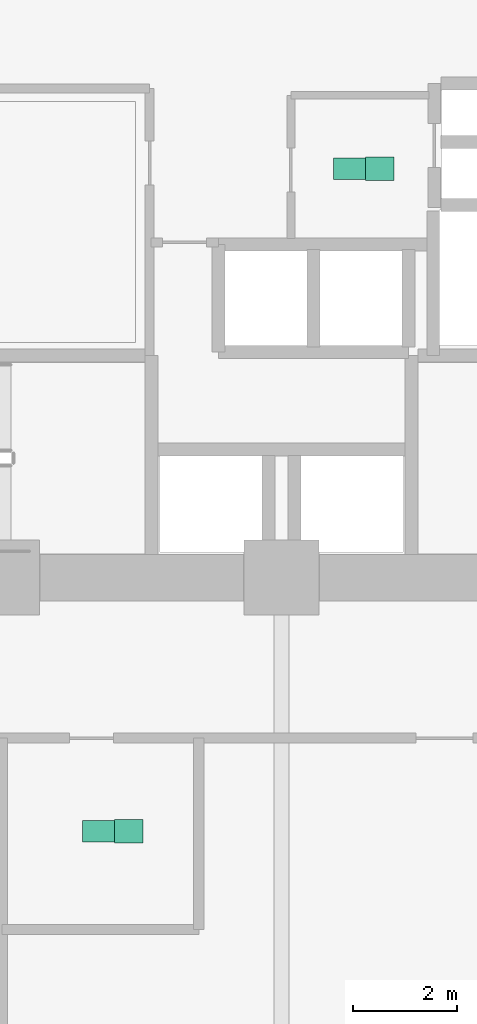
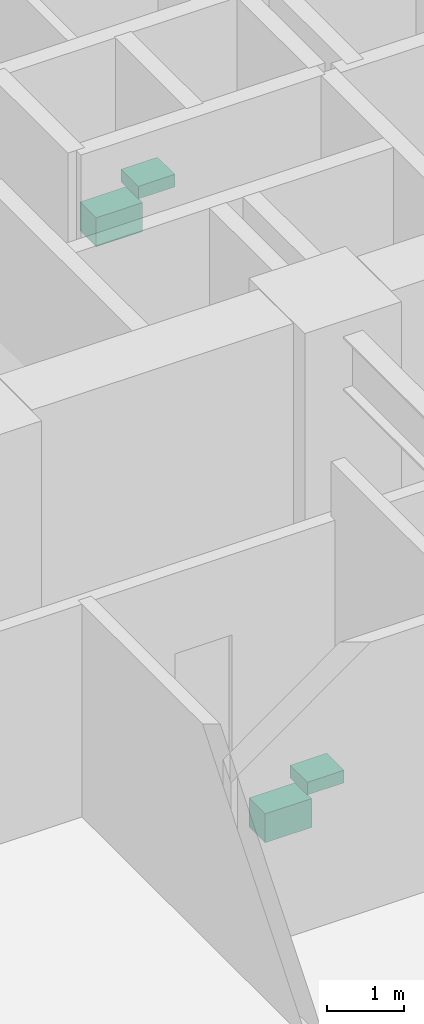
# One storey, part 31 of 31: 4 sanitary terminals.
"""IFC4 building model written with IfcOpenShell, lengths in metres."""

import ifcopenshell
import ifcopenshell.guid

model = None  # the IFC model being written
_history = None  # IfcOwnerHistory: only IFC2X3 demands one
_inside = {}  # id of a spatial element -> (the spatial element, [elements in it])
_under = {}  # id of a project, library or spatial element -> (it, [spatial elements below it])
_declared = {}  # id of a project -> (the project, [libraries it declares])
_typed = {}  # id of a type object -> (the type object, [elements of that type])
_made_of = {}  # id of a material, layer set ... -> (it, [elements and type objects made of it])


def new_model(schema):
    """Start an empty IFC model of exactly this schema.

    Asked for "IFC4X3", IfcOpenShell would pick the latest addendum, in which some entities
    have other attributes; the version numbers below select the first issue.
    IFC2X3 requires an IfcOwnerHistory on every rooted entity: one is made here for all.
    """
    global model, _history
    if schema == "IFC4X3":
        model = ifcopenshell.file(schema_version=(4, 3, 0, 0))
    else:
        model = ifcopenshell.file(schema=schema)
    _inside.clear()
    _under.clear()
    _declared.clear()
    _typed.clear()
    _made_of.clear()
    _history = None
    if model.schema == "IFC2X3":
        org = make("IfcOrganization", Name="unknown")
        user = make(
            "IfcPersonAndOrganization",
            ThePerson=make("IfcPerson", FamilyName="unknown"),
            TheOrganization=org,
        )
        app = make(
            "IfcApplication",
            ApplicationDeveloper=org,
            Version="unknown",
            ApplicationFullName="unknown",
            ApplicationIdentifier="unknown",
        )
        _history = make(
            "IfcOwnerHistory",
            OwningUser=user,
            OwningApplication=app,
            ChangeAction="ADDED",
            CreationDate=0,
        )
    return model


def make(cls, **values):
    """One entity of the class cls with the attributes given. An attribute that is None is left unset."""
    return model.create_entity(
        cls, **{name: value for name, value in values.items() if value is not None}
    )


def rooted(cls, **values):
    """An entity with a GlobalId (a new one), such as an element, a storey or a relation."""
    return make(cls, GlobalId=ifcopenshell.guid.new(), OwnerHistory=_history, **values)


def si_unit(unit_type, name, prefix=None):
    """IfcSIUnit, for example si_unit("LENGTHUNIT", "METRE", prefix="MILLI")."""
    return make("IfcSIUnit", UnitType=unit_type, Prefix=prefix, Name=name)


def assignment(units):
    """IfcUnitAssignment: the units of a project."""
    return None if units is None else make("IfcUnitAssignment", Units=units)


def point(xyz):
    """IfcCartesianPoint."""
    return None if xyz is None else make("IfcCartesianPoint", Coordinates=xyz)


def direction(xyz):
    """IfcDirection."""
    return None if xyz is None else make("IfcDirection", DirectionRatios=xyz)


def frame(location, z_axis=None, x_axis=None):
    """IfcAxis2Placement3D, a coordinate frame: its origin and axes. An axis left out is left unset."""
    return make(
        "IfcAxis2Placement3D",
        Location=point(location),
        Axis=direction(z_axis),
        RefDirection=direction(x_axis),
    )


def frame_2d(location, x_axis=None):
    """IfcAxis2Placement2D, a coordinate frame in the plane: its origin and x axis."""
    return make(
        "IfcAxis2Placement2D", Location=point(location), RefDirection=direction(x_axis)
    )


def origin():
    """The frame at (0, 0, 0) with its axes left unset."""
    return frame((0.0, 0.0, 0.0))


def origin_2d():
    """The frame at (0, 0) in the plane with its x axis left unset."""
    return frame_2d((0.0, 0.0))


def place(relative_to, where):
    """IfcLocalPlacement: puts the frame where relative to a parent placement (None: the world)."""
    return make(
        "IfcLocalPlacement", PlacementRelTo=relative_to, RelativePlacement=where
    )


def context(
    kind, dimensions, precision=None, world=None, true_north=None, identifier=None
):
    """IfcGeometricRepresentationContext, for example the 3D "Model" context."""
    return make(
        "IfcGeometricRepresentationContext",
        ContextIdentifier=identifier,
        ContextType=kind,
        CoordinateSpaceDimension=dimensions,
        Precision=precision,
        WorldCoordinateSystem=world,
        TrueNorth=true_north,
    )


def subcontext(parent, identifier, kind, view, scale=None):
    """IfcGeometricRepresentationSubContext, for example "Body" below "Model"."""
    return make(
        "IfcGeometricRepresentationSubContext",
        ContextIdentifier=identifier,
        ContextType=kind,
        ParentContext=parent,
        TargetScale=scale,
        TargetView=view,
    )


def project(units=None, contexts=None):
    """IfcProject with its units and contexts."""
    return rooted(
        "IfcProject",
        Name="project",
        RepresentationContexts=contexts,
        UnitsInContext=assignment(units),
    )


def spatial(cls, under=None, at=None, **own):
    """A site, building, storey or space (cls), placed at a placement, below another one or the project."""
    s = rooted(cls, ObjectPlacement=at, **own)
    if under is not None:
        _under.setdefault(under.id(), (under, []))[1].append(s)
    return s


def profile(cls, at=None, kind="AREA", **sizes):
    """A parametric profile (cls). Its sizes go by their IFC names, for example OverallWidth=200.0."""
    return make(cls, ProfileType=kind, Position=at, **sizes)


def rectangle(**sizes):
    """IfcRectangleProfileDef."""
    return profile("IfcRectangleProfileDef", **sizes)


def extrude(swept, where, along, depth):
    """IfcExtrudedAreaSolid: the profile swept, set in the frame where, extruded along a direction by depth."""
    return make(
        "IfcExtrudedAreaSolid",
        SweptArea=swept,
        Position=where,
        ExtrudedDirection=direction(along),
        Depth=depth,
    )


def shape(context_of_items, identifier, shape_type, items):
    """IfcShapeRepresentation: the items that make up one representation, for example the "Body"."""
    return make(
        "IfcShapeRepresentation",
        ContextOfItems=context_of_items,
        RepresentationIdentifier=identifier,
        RepresentationType=shape_type,
        Items=items,
    )


def material(Name=None, Category=None):
    """IfcMaterial."""
    return make("IfcMaterial", Name=Name, Category=Category)


def made_of(thing, what):
    """Note that an element or type object is made of a material, layer set ...; save() writes the relation."""
    if what is not None:
        _made_of.setdefault(what.id(), (what, []))[1].append(thing)
    return thing


def type_object(cls, material=None, **own):
    """A type object (cls), such as IfcWallType, which elements share."""
    return made_of(rooted(cls, **own), material)


def element(
    cls,
    number,
    at=None,
    inside=None,
    cuts=None,
    type_object=None,
    material=None,
    context=None,
    identifier="Body",
    shape_type=None,
    held_by="IfcProductDefinitionShape",
    body=None,
    shapes=None,
    **own,
):
    """One element of the class cls, such as IfcWall. Its Tag is "e" and its number.

    at: its placement. inside: the storey or other place that contains it. cuts: it is an
    opening in that element (IfcRelVoidsElement). A single representation is given by context,
    identifier, shape_type and body (its items); several are given by shapes. held_by: the class
    of the entity that holds the representations. save() writes the other relations.
    """
    e = rooted(cls, Tag="e%d" % number, ObjectPlacement=at, **own)
    if body is not None:
        shapes = [shape(context, identifier, shape_type, body)]
    if shapes is not None:
        e.Representation = make(held_by, Representations=shapes)
    if inside is not None:
        _inside.setdefault(inside.id(), (inside, []))[1].append(e)
    if cuts is not None:
        rooted(
            "IfcRelVoidsElement", RelatingBuildingElement=cuts, RelatedOpeningElement=e
        )
    if type_object is not None:
        _typed.setdefault(type_object.id(), (type_object, []))[1].append(e)
    return made_of(e, material)


def aggregate(whole, parts):
    """IfcRelAggregates: a whole, such as a stair, and the parts it consists of."""
    return rooted("IfcRelAggregates", RelatingObject=whole, RelatedObjects=parts)


def save(model, path):
    """Write the relations noted so far, then the file.

    IfcRelAggregates (storeys below a building ...), IfcRelContainedInSpatialStructure (elements
    in a storey), IfcRelDefinesByType, IfcRelAssociatesMaterial and IfcRelDeclares: one each for
    every whole, place, type object, material and project.
    """
    for whole, parts in _under.values():
        aggregate(whole, parts)
    for where, things in _inside.values():
        rooted(
            "IfcRelContainedInSpatialStructure",
            RelatedElements=things,
            RelatingStructure=where,
        )
    for kind, things in _typed.values():
        rooted("IfcRelDefinesByType", RelatedObjects=things, RelatingType=kind)
    for what, things in _made_of.values():
        rooted("IfcRelAssociatesMaterial", RelatedObjects=things, RelatingMaterial=what)
    for by, libraries in _declared.values():
        rooted("IfcRelDeclares", RelatingContext=by, RelatedDefinitions=libraries)
    model.write(path)


model = new_model("IFC4")

# Units and contexts
model_context = context("Model", 3, precision=1e-05, world=origin(), true_north=direction((0.0, 1.0)))
body_context = subcontext(model_context, "Body", "Model", "MODEL_VIEW")
ifc_project = project(units=[si_unit("LENGTHUNIT", "METRE"), si_unit("AREAUNIT", "SQUARE_METRE"), si_unit("VOLUMEUNIT", "CUBIC_METRE"), si_unit("PLANEANGLEUNIT", "RADIAN"), si_unit("MASSUNIT", "GRAM", prefix="KILO")], contexts=[model_context])

# Site, building, storey
site_placement = place(None, origin())
site = spatial("IfcSite", under=ifc_project, at=site_placement, CompositionType="ELEMENT")
building_placement = place(site_placement, origin())
building = spatial("IfcBuilding", under=site, at=building_placement, Name="Surkhivell Harbour Commons", CompositionType="ELEMENT")
storey_placement = place(building_placement, frame((0.0, 0.0, 4.5)))
storey = spatial("IfcBuildingStorey", under=building, at=storey_placement, Name="L01", CompositionType="ELEMENT", Elevation=4.5)

# Sanitary terminals
ifc_material_1 = material(Name="Vitreous china washbasin", Category="other")
sanitary_terminal_type_1 = type_object("IfcSanitaryTerminalType", Name="SAN-BSN", PredefinedType="WASHHANDBASIN", material=ifc_material_1)
for number, where, z_axis, x_axis, name in (
    (1, (1.89990234375, -2.89990234375, 0.72021484375), (0.0, 0.0, 1.0), (1.0, 0.0, 0.0), "L01 Core Accessible WC Washbasin"),
    (2, (-2.949951171875, -15.699951171875, 0.72021484375), (0.0, 0.0, 1.0), (1.0, 0.0, 0.0), "L01 Accessible WC Washbasin"),
):
    element("IfcSanitaryTerminal", number, at=place(storey_placement, frame(where, z_axis=z_axis, x_axis=x_axis)), inside=storey, type_object=sanitary_terminal_type_1, Name=name, PredefinedType="WASHHANDBASIN", context=body_context, shape_type="SweptSolid", body=[
        extrude(rectangle(XDim=0.550048828125, YDim=0.449951171875, at=origin_2d()), origin(), (0.0, 0.0, 1.0), 0.199951171875),
    ])
ifc_material_2 = material(Name="Vitreous china sanitaryware", Category="other")
sanitary_terminal_type_2 = type_object("IfcSanitaryTerminalType", Name="SAN-WC-ACC", PredefinedType="TOILETPAN", material=ifc_material_2)
for number, where, z_axis, x_axis, name in (
    (3, (1.35009765625, -2.89990234375, 0.169921875), (0.0, 0.0, 1.0), (1.0, 0.0, 0.0), "L01 Core Accessible WC"),
    (4, (-3.5, -15.699951171875, 0.169921875), (0.0, 0.0, 1.0), (1.0, 0.0, 0.0), "L01 Accessible WC"),
):
    element("IfcSanitaryTerminal", number, at=place(storey_placement, frame(where, z_axis=z_axis, x_axis=x_axis)), inside=storey, type_object=sanitary_terminal_type_2, Name=name, PredefinedType="TOILETPAN", context=body_context, shape_type="SweptSolid", body=[
        extrude(rectangle(XDim=0.699951171875, YDim=0.419921875, at=origin_2d()), origin(), (0.0, 0.0, 1.0), 0.4599609375),
    ])

save(model, "model.ifc")
